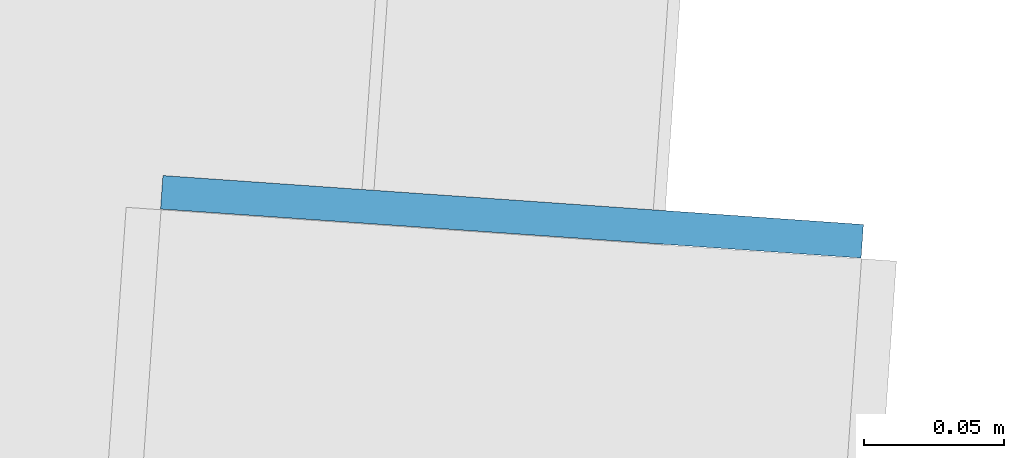
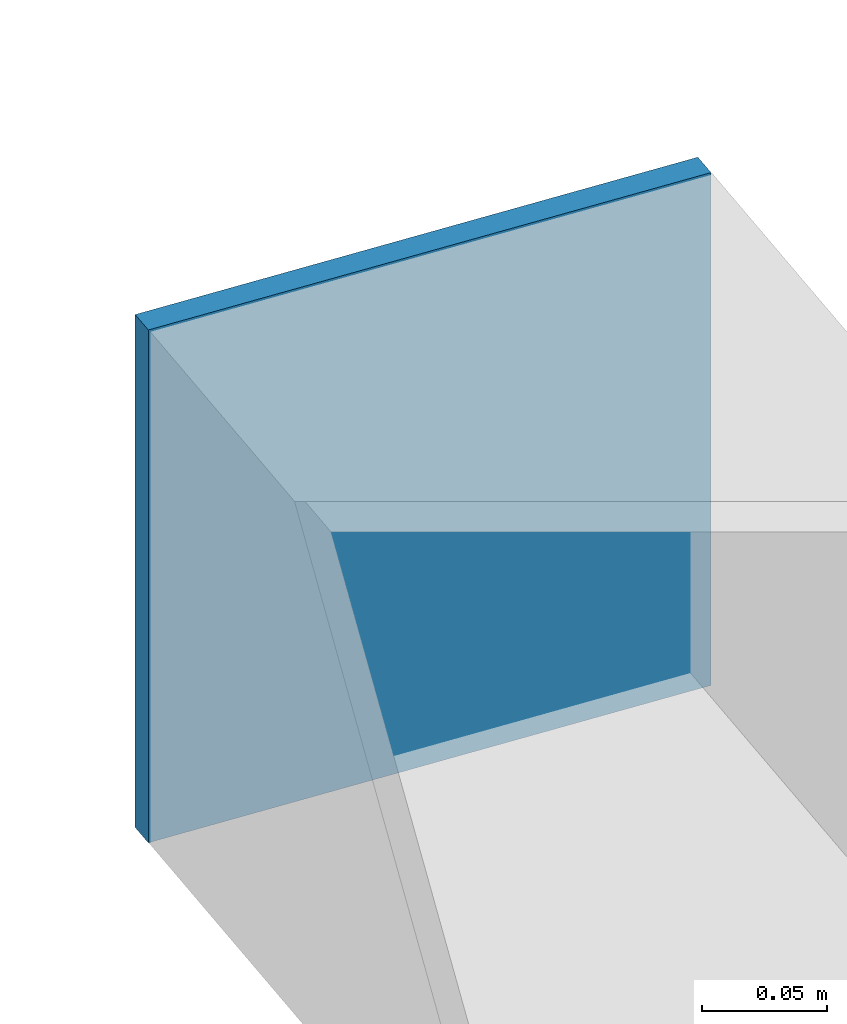
# One storey, part 34 of 39: 1 plate.
"""IFC4 building model written with IfcOpenShell, lengths in metres."""

from ifc_helpers import new_model, si_unit, direction, frame, origin, origin_2d, place, context, subcontext, project, spatial, rectangle, extrude, source, transform, mapped, material, layer, layer_set, type_object, element, save


model = new_model("IFC4")

# Units and contexts
model_context = context("Model", 3, precision=1e-05, world=origin(), true_north=direction((0.0, 1.0)))
body_context = subcontext(model_context, "Body", "Model", "MODEL_VIEW")
ifc_project = project(units=[si_unit("LENGTHUNIT", "METRE"), si_unit("AREAUNIT", "SQUARE_METRE"), si_unit("VOLUMEUNIT", "CUBIC_METRE"), si_unit("PLANEANGLEUNIT", "RADIAN"), si_unit("MASSUNIT", "GRAM", prefix="KILO")], contexts=[model_context])

# Site, building, storey
site_placement = place(None, origin())
site = spatial("IfcSite", under=ifc_project, at=site_placement, CompositionType="ELEMENT")
building_placement = place(site_placement, origin())
building = spatial("IfcBuilding", under=site, at=building_placement, Name="Taldren Reach Tower", CompositionType="ELEMENT")
storey_placement = place(building_placement, frame((0.0, 0.0, 145.60009765625)))
storey = spatial("IfcBuildingStorey", under=building, at=storey_placement, Name="L44", CompositionType="ELEMENT", Elevation=145.60009765625)

# Plate
ifc_material = material(Name="Steel Gr 350 (C350L0)", Category="steel")
ifc_layer = layer(ifc_material, 0.011962890625)
ifc_layer_set = layer_set([ifc_layer], Name="Steel Gr 350 (C350L0)")
plate_type = type_object("IfcPlateType", Name="PL-CAP-250", PredefinedType="SHEET", material=ifc_layer_set)
shared_shape = source(origin(), body_context, "Body", "SweptSolid", [
    extrude(rectangle(XDim=0.25, YDim=0.011962890625, at=origin_2d()), origin(), (0.0, 0.0, 1.0), 0.25),
])
plate_placement = place(storey_placement, frame((58.544921875, 36.413818359375, 0.094970703125), z_axis=(0.0, 0.0, 1.0), x_axis=(0.99756405026, -0.069756473744, 0.0)))
element("IfcPlate", 1, at=plate_placement, inside=storey, type_object=plate_type, Name="Tie strut end cap plate B3-N6 L44", PredefinedType="SHEET", context=body_context, shape_type="MappedRepresentation", body=[
    mapped(shared_shape, transform((0.0, 0.0, 0.0), scale=1.0)),
])

save(model, "model.ifc")
